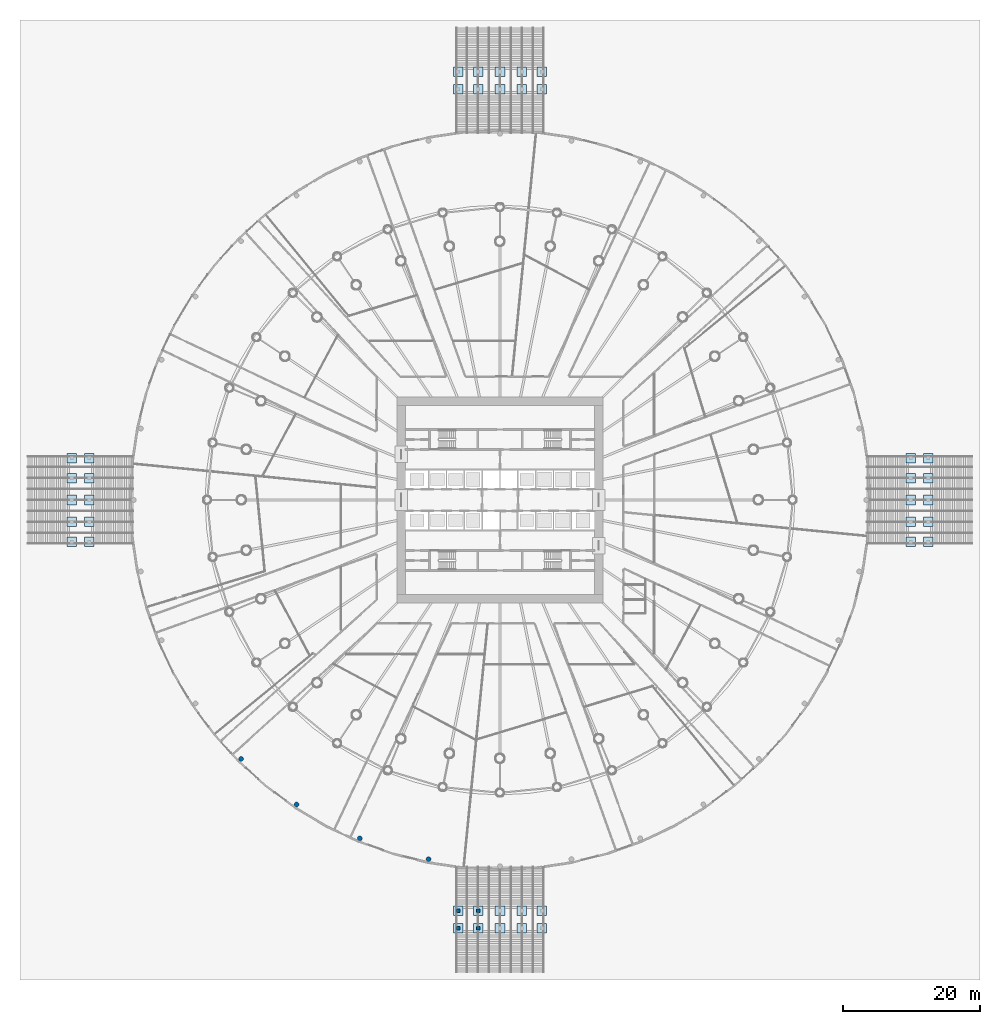
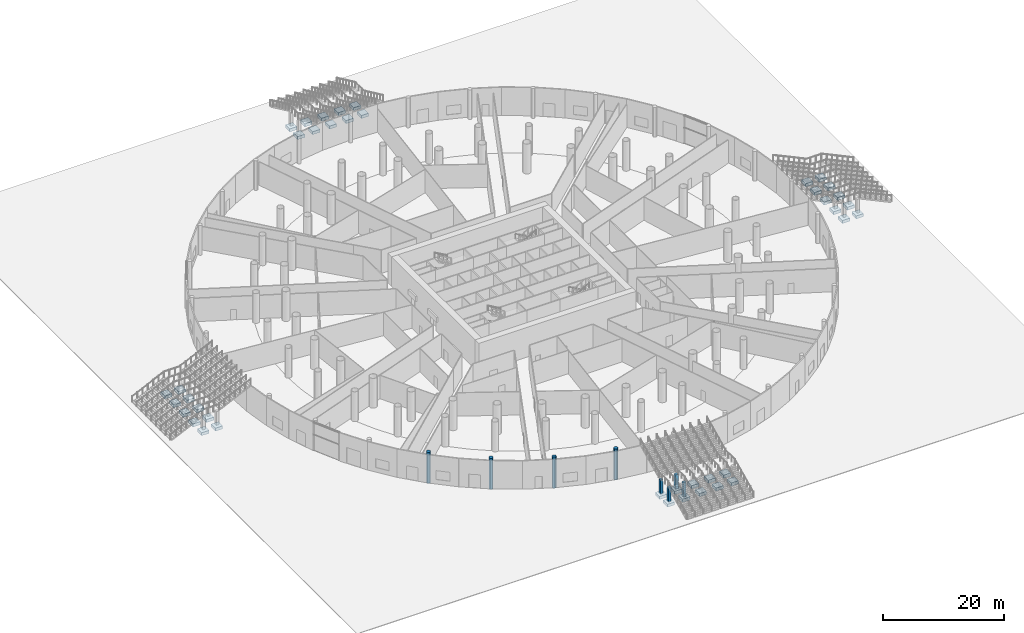
# One storey, part 1 of 33: 40 footings, 8 columns.
"""IFC4 building model written with IfcOpenShell, lengths in metres."""

import ifcopenshell
import ifcopenshell.guid

model = None  # the IFC model being written
_history = None  # IfcOwnerHistory: only IFC2X3 demands one
_inside = {}  # id of a spatial element -> (the spatial element, [elements in it])
_under = {}  # id of a project, library or spatial element -> (it, [spatial elements below it])
_declared = {}  # id of a project -> (the project, [libraries it declares])
_typed = {}  # id of a type object -> (the type object, [elements of that type])
_made_of = {}  # id of a material, layer set ... -> (it, [elements and type objects made of it])


def new_model(schema):
    """Start an empty IFC model of exactly this schema.

    Asked for "IFC4X3", IfcOpenShell would pick the latest addendum, in which some entities
    have other attributes; the version numbers below select the first issue.
    IFC2X3 requires an IfcOwnerHistory on every rooted entity: one is made here for all.
    """
    global model, _history
    if schema == "IFC4X3":
        model = ifcopenshell.file(schema_version=(4, 3, 0, 0))
    else:
        model = ifcopenshell.file(schema=schema)
    _inside.clear()
    _under.clear()
    _declared.clear()
    _typed.clear()
    _made_of.clear()
    _history = None
    if model.schema == "IFC2X3":
        org = make("IfcOrganization", Name="unknown")
        user = make(
            "IfcPersonAndOrganization",
            ThePerson=make("IfcPerson", FamilyName="unknown"),
            TheOrganization=org,
        )
        app = make(
            "IfcApplication",
            ApplicationDeveloper=org,
            Version="unknown",
            ApplicationFullName="unknown",
            ApplicationIdentifier="unknown",
        )
        _history = make(
            "IfcOwnerHistory",
            OwningUser=user,
            OwningApplication=app,
            ChangeAction="ADDED",
            CreationDate=0,
        )
    return model


def make(cls, **values):
    """One entity of the class cls with the attributes given. An attribute that is None is left unset."""
    return model.create_entity(
        cls, **{name: value for name, value in values.items() if value is not None}
    )


def rooted(cls, **values):
    """An entity with a GlobalId (a new one), such as an element, a storey or a relation."""
    return make(cls, GlobalId=ifcopenshell.guid.new(), OwnerHistory=_history, **values)


def si_unit(unit_type, name, prefix=None):
    """IfcSIUnit, for example si_unit("LENGTHUNIT", "METRE", prefix="MILLI")."""
    return make("IfcSIUnit", UnitType=unit_type, Prefix=prefix, Name=name)


def assignment(units):
    """IfcUnitAssignment: the units of a project."""
    return None if units is None else make("IfcUnitAssignment", Units=units)


def point(xyz):
    """IfcCartesianPoint."""
    return None if xyz is None else make("IfcCartesianPoint", Coordinates=xyz)


def direction(xyz):
    """IfcDirection."""
    return None if xyz is None else make("IfcDirection", DirectionRatios=xyz)


def frame(location, z_axis=None, x_axis=None):
    """IfcAxis2Placement3D, a coordinate frame: its origin and axes. An axis left out is left unset."""
    return make(
        "IfcAxis2Placement3D",
        Location=point(location),
        Axis=direction(z_axis),
        RefDirection=direction(x_axis),
    )


def frame_2d(location, x_axis=None):
    """IfcAxis2Placement2D, a coordinate frame in the plane: its origin and x axis."""
    return make(
        "IfcAxis2Placement2D", Location=point(location), RefDirection=direction(x_axis)
    )


def origin():
    """The frame at (0, 0, 0) with its axes left unset."""
    return frame((0.0, 0.0, 0.0))


def origin_2d():
    """The frame at (0, 0) in the plane with its x axis left unset."""
    return frame_2d((0.0, 0.0))


def place(relative_to, where):
    """IfcLocalPlacement: puts the frame where relative to a parent placement (None: the world)."""
    return make(
        "IfcLocalPlacement", PlacementRelTo=relative_to, RelativePlacement=where
    )


def context(
    kind, dimensions, precision=None, world=None, true_north=None, identifier=None
):
    """IfcGeometricRepresentationContext, for example the 3D "Model" context."""
    return make(
        "IfcGeometricRepresentationContext",
        ContextIdentifier=identifier,
        ContextType=kind,
        CoordinateSpaceDimension=dimensions,
        Precision=precision,
        WorldCoordinateSystem=world,
        TrueNorth=true_north,
    )


def subcontext(parent, identifier, kind, view, scale=None):
    """IfcGeometricRepresentationSubContext, for example "Body" below "Model"."""
    return make(
        "IfcGeometricRepresentationSubContext",
        ContextIdentifier=identifier,
        ContextType=kind,
        ParentContext=parent,
        TargetScale=scale,
        TargetView=view,
    )


def project(units=None, contexts=None):
    """IfcProject with its units and contexts."""
    return rooted(
        "IfcProject",
        Name="project",
        RepresentationContexts=contexts,
        UnitsInContext=assignment(units),
    )


def spatial(cls, under=None, at=None, **own):
    """A site, building, storey or space (cls), placed at a placement, below another one or the project."""
    s = rooted(cls, ObjectPlacement=at, **own)
    if under is not None:
        _under.setdefault(under.id(), (under, []))[1].append(s)
    return s


def profile(cls, at=None, kind="AREA", **sizes):
    """A parametric profile (cls). Its sizes go by their IFC names, for example OverallWidth=200.0."""
    return make(cls, ProfileType=kind, Position=at, **sizes)


def rectangle(**sizes):
    """IfcRectangleProfileDef."""
    return profile("IfcRectangleProfileDef", **sizes)


def circle(**sizes):
    """IfcCircleProfileDef."""
    return profile("IfcCircleProfileDef", **sizes)


def extrude(swept, where, along, depth):
    """IfcExtrudedAreaSolid: the profile swept, set in the frame where, extruded along a direction by depth."""
    return make(
        "IfcExtrudedAreaSolid",
        SweptArea=swept,
        Position=where,
        ExtrudedDirection=direction(along),
        Depth=depth,
    )


def shape(context_of_items, identifier, shape_type, items):
    """IfcShapeRepresentation: the items that make up one representation, for example the "Body"."""
    return make(
        "IfcShapeRepresentation",
        ContextOfItems=context_of_items,
        RepresentationIdentifier=identifier,
        RepresentationType=shape_type,
        Items=items,
    )


def material(Name=None, Category=None):
    """IfcMaterial."""
    return make("IfcMaterial", Name=Name, Category=Category)


def material_profile(
    of_material, cross_section, Name=None, Category=None, Priority=None
):
    """IfcMaterialProfile: a cross section and its material."""
    return make(
        "IfcMaterialProfile",
        Name=Name,
        Material=of_material,
        Profile=cross_section,
        Priority=Priority,
        Category=Category,
    )


def profile_set(profiles, Name=None, composite=None):
    """IfcMaterialProfileSet."""
    return make(
        "IfcMaterialProfileSet",
        Name=Name,
        MaterialProfiles=profiles,
        CompositeProfile=composite,
    )


def made_of(thing, what):
    """Note that an element or type object is made of a material, layer set ...; save() writes the relation."""
    if what is not None:
        _made_of.setdefault(what.id(), (what, []))[1].append(thing)
    return thing


def type_object(cls, material=None, **own):
    """A type object (cls), such as IfcWallType, which elements share."""
    return made_of(rooted(cls, **own), material)


def element(
    cls,
    number,
    at=None,
    inside=None,
    cuts=None,
    type_object=None,
    material=None,
    context=None,
    identifier="Body",
    shape_type=None,
    held_by="IfcProductDefinitionShape",
    body=None,
    shapes=None,
    **own,
):
    """One element of the class cls, such as IfcWall. Its Tag is "e" and its number.

    at: its placement. inside: the storey or other place that contains it. cuts: it is an
    opening in that element (IfcRelVoidsElement). A single representation is given by context,
    identifier, shape_type and body (its items); several are given by shapes. held_by: the class
    of the entity that holds the representations. save() writes the other relations.
    """
    e = rooted(cls, Tag="e%d" % number, ObjectPlacement=at, **own)
    if body is not None:
        shapes = [shape(context, identifier, shape_type, body)]
    if shapes is not None:
        e.Representation = make(held_by, Representations=shapes)
    if inside is not None:
        _inside.setdefault(inside.id(), (inside, []))[1].append(e)
    if cuts is not None:
        rooted(
            "IfcRelVoidsElement", RelatingBuildingElement=cuts, RelatedOpeningElement=e
        )
    if type_object is not None:
        _typed.setdefault(type_object.id(), (type_object, []))[1].append(e)
    return made_of(e, material)


def aggregate(whole, parts):
    """IfcRelAggregates: a whole, such as a stair, and the parts it consists of."""
    return rooted("IfcRelAggregates", RelatingObject=whole, RelatedObjects=parts)


def save(model, path):
    """Write the relations noted so far, then the file.

    IfcRelAggregates (storeys below a building ...), IfcRelContainedInSpatialStructure (elements
    in a storey), IfcRelDefinesByType, IfcRelAssociatesMaterial and IfcRelDeclares: one each for
    every whole, place, type object, material and project.
    """
    for whole, parts in _under.values():
        aggregate(whole, parts)
    for where, things in _inside.values():
        rooted(
            "IfcRelContainedInSpatialStructure",
            RelatedElements=things,
            RelatingStructure=where,
        )
    for kind, things in _typed.values():
        rooted("IfcRelDefinesByType", RelatedObjects=things, RelatingType=kind)
    for what, things in _made_of.values():
        rooted("IfcRelAssociatesMaterial", RelatedObjects=things, RelatingMaterial=what)
    for by, libraries in _declared.values():
        rooted("IfcRelDeclares", RelatingContext=by, RelatedDefinitions=libraries)
    model.write(path)


model = new_model("IFC4")

# Units and contexts
model_context = context("Model", 3, precision=1e-05, world=origin(), true_north=direction((0.0, 1.0)))
body_context = subcontext(model_context, "Body", "Model", "MODEL_VIEW")
ifc_project = project(units=[si_unit("LENGTHUNIT", "METRE"), si_unit("AREAUNIT", "SQUARE_METRE"), si_unit("VOLUMEUNIT", "CUBIC_METRE"), si_unit("PLANEANGLEUNIT", "RADIAN"), si_unit("MASSUNIT", "GRAM", prefix="KILO")], contexts=[model_context])

# Site, building, storey
site_placement = place(None, origin())
site = spatial("IfcSite", under=ifc_project, at=site_placement, CompositionType="ELEMENT")
building_placement = place(site_placement, origin())
building = spatial("IfcBuilding", under=site, at=building_placement, Name="Corvane Civic Tower", CompositionType="ELEMENT")
storey_placement = place(building_placement, origin())
storey = spatial("IfcBuildingStorey", under=building, at=storey_placement, Name="G", CompositionType="ELEMENT", Elevation=0.0)

# Footings
ifc_material_1 = material(Name="Concrete C40/50", Category="concrete")
footing_type = type_object("IfcFootingType", Name="PODIUM-F-STAIRPAD-1400", PredefinedType="PAD_FOOTING", material=ifc_material_1)
for number, where, z_axis, x_axis, name in (
    (1, (6.10009765625, 59.8798828125, -0.75), (0.0, 0.0, 1.0), (0.0, 1.0, 0.0), "North stair pad footing 1"),
    (2, (3.199951171875, 59.8798828125, -0.75), (0.0, 0.0, 1.0), (0.0, 1.0, 0.0), "North stair pad footing 2"),
    (3, (0.0, 59.8798828125, -0.75), (0.0, 0.0, 1.0), (0.0, 1.0, 0.0), "North stair pad footing 3"),
    (4, (-3.199951171875, 59.8798828125, -0.75), (0.0, 0.0, 1.0), (0.0, 1.0, 0.0), "North stair pad footing 4"),
    (5, (-6.10009765625, 59.8798828125, -0.75), (0.0, 0.0, 1.0), (0.0, 1.0, 0.0), "North stair pad footing 5"),
    (6, (6.10009765625, 62.47998046875, -0.75), (0.0, 0.0, 1.0), (0.0, 1.0, 0.0), "North stair pad footing 6"),
    (7, (3.199951171875, 62.47998046875, -0.75), (0.0, 0.0, 1.0), (0.0, 1.0, 0.0), "North stair pad footing 7"),
    (8, (0.0, 62.47998046875, -0.75), (0.0, 0.0, 1.0), (0.0, 1.0, 0.0), "North stair pad footing 8"),
    (9, (-3.199951171875, 62.47998046875, -0.75), (0.0, 0.0, 1.0), (0.0, 1.0, 0.0), "North stair pad footing 9"),
    (10, (-6.10009765625, 62.47998046875, -0.75), (0.0, 0.0, 1.0), (0.0, 1.0, 0.0), "North stair pad footing 10"),
    (11, (59.8798828125, -6.10009765625, -0.75), (0.0, 0.0, 1.0), (1.0, 0.0, 0.0), "East stair pad footing 1"),
    (12, (59.8798828125, -3.199951171875, -0.75), (0.0, 0.0, 1.0), (1.0, 0.0, 0.0), "East stair pad footing 2"),
    (13, (59.8798828125, 0.0, -0.75), (0.0, 0.0, 1.0), (1.0, 0.0, 0.0), "East stair pad footing 3"),
    (14, (59.8798828125, 3.199951171875, -0.75), (0.0, 0.0, 1.0), (1.0, 0.0, 0.0), "East stair pad footing 4"),
    (15, (59.8798828125, 6.10009765625, -0.75), (0.0, 0.0, 1.0), (1.0, 0.0, 0.0), "East stair pad footing 5"),
    (16, (62.47998046875, -6.10009765625, -0.75), (0.0, 0.0, 1.0), (1.0, 0.0, 0.0), "East stair pad footing 6"),
    (17, (62.47998046875, -3.199951171875, -0.75), (0.0, 0.0, 1.0), (1.0, 0.0, 0.0), "East stair pad footing 7"),
    (18, (62.47998046875, 0.0, -0.75), (0.0, 0.0, 1.0), (1.0, 0.0, 0.0), "East stair pad footing 8"),
    (19, (62.47998046875, 3.199951171875, -0.75), (0.0, 0.0, 1.0), (1.0, 0.0, 0.0), "East stair pad footing 9"),
    (20, (62.47998046875, 6.10009765625, -0.75), (0.0, 0.0, 1.0), (1.0, 0.0, 0.0), "East stair pad footing 10"),
    (21, (-6.10009765625, -59.8798828125, -0.75), (0.0, 0.0, 1.0), (0.0, -1.0, 0.0), "South stair pad footing 1"),
    (22, (-3.199951171875, -59.8798828125, -0.75), (0.0, 0.0, 1.0), (0.0, -1.0, 0.0), "South stair pad footing 2"),
    (23, (0.0, -59.8798828125, -0.75), (0.0, 0.0, 1.0), (0.0, -1.0, 0.0), "South stair pad footing 3"),
    (24, (3.199951171875, -59.8798828125, -0.75), (0.0, 0.0, 1.0), (0.0, -1.0, 0.0), "South stair pad footing 4"),
    (25, (6.10009765625, -59.8798828125, -0.75), (0.0, 0.0, 1.0), (0.0, -1.0, 0.0), "South stair pad footing 5"),
    (26, (-6.10009765625, -62.47998046875, -0.75), (0.0, 0.0, 1.0), (0.0, -1.0, 0.0), "South stair pad footing 6"),
    (27, (-3.199951171875, -62.47998046875, -0.75), (0.0, 0.0, 1.0), (0.0, -1.0, 0.0), "South stair pad footing 7"),
    (28, (0.0, -62.47998046875, -0.75), (0.0, 0.0, 1.0), (0.0, -1.0, 0.0), "South stair pad footing 8"),
    (29, (3.199951171875, -62.47998046875, -0.75), (0.0, 0.0, 1.0), (0.0, -1.0, 0.0), "South stair pad footing 9"),
    (30, (6.10009765625, -62.47998046875, -0.75), (0.0, 0.0, 1.0), (0.0, -1.0, 0.0), "South stair pad footing 10"),
    (31, (-59.8798828125, 6.10009765625, -0.75), (0.0, 0.0, 1.0), (-1.0, 0.0, 0.0), "West stair pad footing 1"),
    (32, (-59.8798828125, 3.199951171875, -0.75), (0.0, 0.0, 1.0), (-1.0, 0.0, 0.0), "West stair pad footing 2"),
    (33, (-59.8798828125, 0.0, -0.75), (0.0, 0.0, 1.0), (-1.0, 0.0, 0.0), "West stair pad footing 3"),
    (34, (-59.8798828125, -3.199951171875, -0.75), (0.0, 0.0, 1.0), (-1.0, 0.0, 0.0), "West stair pad footing 4"),
    (35, (-59.8798828125, -6.10009765625, -0.75), (0.0, 0.0, 1.0), (-1.0, 0.0, 0.0), "West stair pad footing 5"),
    (36, (-62.47998046875, 6.10009765625, -0.75), (0.0, 0.0, 1.0), (-1.0, 0.0, 0.0), "West stair pad footing 6"),
    (37, (-62.47998046875, 3.199951171875, -0.75), (0.0, 0.0, 1.0), (-1.0, 0.0, 0.0), "West stair pad footing 7"),
    (38, (-62.47998046875, 0.0, -0.75), (0.0, 0.0, 1.0), (-1.0, 0.0, 0.0), "West stair pad footing 8"),
    (39, (-62.47998046875, -3.199951171875, -0.75), (0.0, 0.0, 1.0), (-1.0, 0.0, 0.0), "West stair pad footing 9"),
    (40, (-62.47998046875, -6.10009765625, -0.75), (0.0, 0.0, 1.0), (-1.0, 0.0, 0.0), "West stair pad footing 10"),
):
    element("IfcFooting", number, at=place(storey_placement, frame(where, z_axis=z_axis, x_axis=x_axis)), inside=storey, type_object=footing_type, Name=name, PredefinedType="PAD_FOOTING", context=body_context, shape_type="SweptSolid", body=[
        extrude(rectangle(XDim=1.39990234375, YDim=1.39990234375, at=origin_2d()), origin(), (0.0, 0.0, 1.0), 0.60009765625),
    ])

# Columns
ifc_material_2 = material(Name="Concrete C40/50", Category="concrete")
ifc_material_profile_1 = material_profile(ifc_material_2, rectangle(XDim=0.5, YDim=0.5, at=origin_2d()), Name="RC 500x500")
ifc_profile_set_1 = profile_set([ifc_material_profile_1], Name="Concrete C40/50")
column_type_1 = type_object("IfcColumnType", Name="PODIUM-C-STAIRPIER-500", PredefinedType="COLUMN", material=ifc_profile_set_1)
for number, where, z_axis, x_axis, name in (
    (41, (-6.10009765625, -59.8798828125, -0.14990234375), (0.0, 0.0, 1.0), (0.0, -1.0, 0.0), "South stair landing pier 1"),
    (42, (-3.199951171875, -59.8798828125, -0.14990234375), (0.0, 0.0, 1.0), (0.0, -1.0, 0.0), "South stair landing pier 2"),
    (43, (-6.10009765625, -62.47998046875, -0.14990234375), (0.0, 0.0, 1.0), (0.0, -1.0, 0.0), "South stair landing pier 6"),
    (44, (-3.199951171875, -62.47998046875, -0.14990234375), (0.0, 0.0, 1.0), (0.0, -1.0, 0.0), "South stair landing pier 7"),
):
    element("IfcColumn", number, at=place(storey_placement, frame(where, z_axis=z_axis, x_axis=x_axis)), inside=storey, type_object=column_type_1, Name=name, PredefinedType="COLUMN", context=body_context, shape_type="SweptSolid", body=[
        extrude(rectangle(XDim=0.5, YDim=0.5, at=origin_2d()), origin(), (0.0, 0.0, 1.0), 2.89990234375),
    ])
ifc_material_3 = material(Name="Concrete C50/60", Category="concrete")
ifc_material_profile_2 = material_profile(ifc_material_3, circle(Radius=0.35009765625, at=origin_2d()), Name="COLUMN 700")
ifc_profile_set_2 = profile_set([ifc_material_profile_2], Name="Concrete C50/60")
column_type_2 = type_object("IfcColumnType", Name="RC COLUMN COLUMN 700", PredefinedType="COLUMN", material=ifc_profile_set_2)
for number, where, z_axis, x_axis, name in (
    (45, (-10.417724609375, -52.3740234375, -0.300048828125), (0.0, 0.0, 1.0), (1.0, 0.0, 0.0), "COL-G-H18"),
    (46, (-20.435302734375, -49.335205078125, -0.300048828125), (0.0, 0.0, 1.0), (1.0, 0.0, 0.0), "COL-G-H19"),
    (47, (-29.66748046875, -44.400390625, -0.300048828125), (0.0, 0.0, 1.0), (1.0, 0.0, 0.0), "COL-G-H20"),
    (48, (-37.759521484375, -37.759521484375, -0.300048828125), (0.0, 0.0, 1.0), (1.0, 0.0, 0.0), "COL-G-H21"),
):
    element("IfcColumn", number, at=place(storey_placement, frame(where, z_axis=z_axis, x_axis=x_axis)), inside=storey, type_object=column_type_2, Name=name, PredefinedType="COLUMN", context=body_context, shape_type="SweptSolid", body=[
        extrude(circle(Radius=0.35009765625, at=origin_2d()), origin(), (0.0, 0.0, 1.0), 6.300048828125),
    ])

save(model, "model.ifc")
